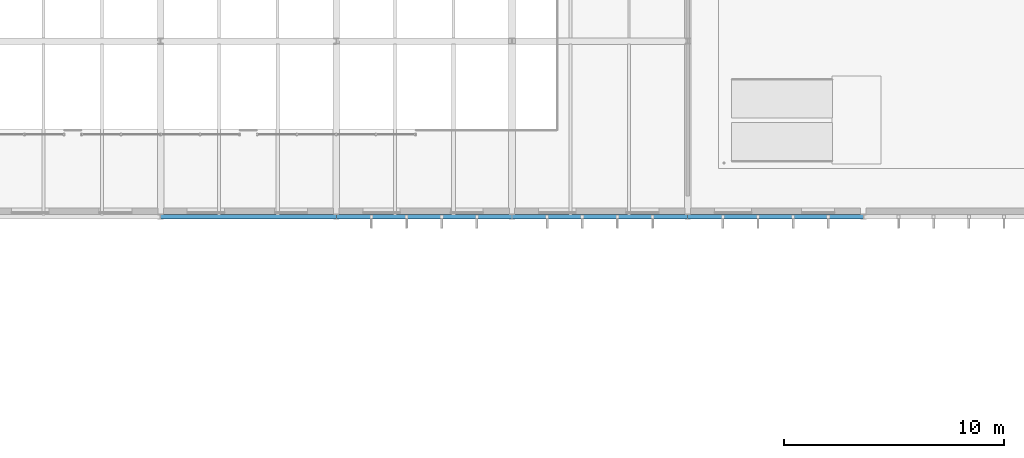
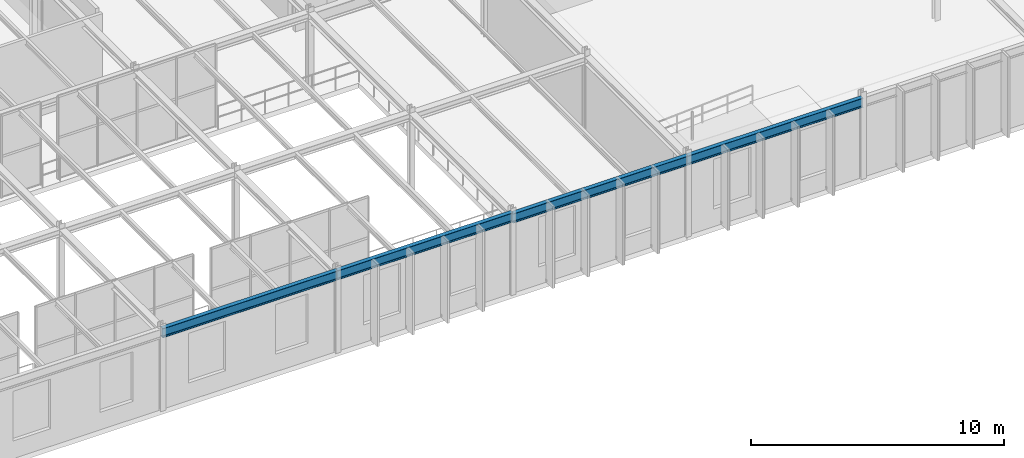
# One storey, part 58 of 124: 4 beams.
"""IFC4 building model written with IfcOpenShell, lengths in metres."""

import ifcopenshell
import ifcopenshell.guid

model = None  # the IFC model being written
_history = None  # IfcOwnerHistory: only IFC2X3 demands one
_inside = {}  # id of a spatial element -> (the spatial element, [elements in it])
_under = {}  # id of a project, library or spatial element -> (it, [spatial elements below it])
_declared = {}  # id of a project -> (the project, [libraries it declares])
_typed = {}  # id of a type object -> (the type object, [elements of that type])
_made_of = {}  # id of a material, layer set ... -> (it, [elements and type objects made of it])


def new_model(schema):
    """Start an empty IFC model of exactly this schema.

    Asked for "IFC4X3", IfcOpenShell would pick the latest addendum, in which some entities
    have other attributes; the version numbers below select the first issue.
    IFC2X3 requires an IfcOwnerHistory on every rooted entity: one is made here for all.
    """
    global model, _history
    if schema == "IFC4X3":
        model = ifcopenshell.file(schema_version=(4, 3, 0, 0))
    else:
        model = ifcopenshell.file(schema=schema)
    _inside.clear()
    _under.clear()
    _declared.clear()
    _typed.clear()
    _made_of.clear()
    _history = None
    if model.schema == "IFC2X3":
        org = make("IfcOrganization", Name="unknown")
        user = make(
            "IfcPersonAndOrganization",
            ThePerson=make("IfcPerson", FamilyName="unknown"),
            TheOrganization=org,
        )
        app = make(
            "IfcApplication",
            ApplicationDeveloper=org,
            Version="unknown",
            ApplicationFullName="unknown",
            ApplicationIdentifier="unknown",
        )
        _history = make(
            "IfcOwnerHistory",
            OwningUser=user,
            OwningApplication=app,
            ChangeAction="ADDED",
            CreationDate=0,
        )
    return model


def make(cls, **values):
    """One entity of the class cls with the attributes given. An attribute that is None is left unset."""
    return model.create_entity(
        cls, **{name: value for name, value in values.items() if value is not None}
    )


def rooted(cls, **values):
    """An entity with a GlobalId (a new one), such as an element, a storey or a relation."""
    return make(cls, GlobalId=ifcopenshell.guid.new(), OwnerHistory=_history, **values)


def si_unit(unit_type, name, prefix=None):
    """IfcSIUnit, for example si_unit("LENGTHUNIT", "METRE", prefix="MILLI")."""
    return make("IfcSIUnit", UnitType=unit_type, Prefix=prefix, Name=name)


def assignment(units):
    """IfcUnitAssignment: the units of a project."""
    return None if units is None else make("IfcUnitAssignment", Units=units)


def point(xyz):
    """IfcCartesianPoint."""
    return None if xyz is None else make("IfcCartesianPoint", Coordinates=xyz)


def direction(xyz):
    """IfcDirection."""
    return None if xyz is None else make("IfcDirection", DirectionRatios=xyz)


def frame(location, z_axis=None, x_axis=None):
    """IfcAxis2Placement3D, a coordinate frame: its origin and axes. An axis left out is left unset."""
    return make(
        "IfcAxis2Placement3D",
        Location=point(location),
        Axis=direction(z_axis),
        RefDirection=direction(x_axis),
    )


def frame_2d(location, x_axis=None):
    """IfcAxis2Placement2D, a coordinate frame in the plane: its origin and x axis."""
    return make(
        "IfcAxis2Placement2D", Location=point(location), RefDirection=direction(x_axis)
    )


def origin():
    """The frame at (0, 0, 0) with its axes left unset."""
    return frame((0.0, 0.0, 0.0))


def origin_2d():
    """The frame at (0, 0) in the plane with its x axis left unset."""
    return frame_2d((0.0, 0.0))


def place(relative_to, where):
    """IfcLocalPlacement: puts the frame where relative to a parent placement (None: the world)."""
    return make(
        "IfcLocalPlacement", PlacementRelTo=relative_to, RelativePlacement=where
    )


def context(
    kind, dimensions, precision=None, world=None, true_north=None, identifier=None
):
    """IfcGeometricRepresentationContext, for example the 3D "Model" context."""
    return make(
        "IfcGeometricRepresentationContext",
        ContextIdentifier=identifier,
        ContextType=kind,
        CoordinateSpaceDimension=dimensions,
        Precision=precision,
        WorldCoordinateSystem=world,
        TrueNorth=true_north,
    )


def subcontext(parent, identifier, kind, view, scale=None):
    """IfcGeometricRepresentationSubContext, for example "Body" below "Model"."""
    return make(
        "IfcGeometricRepresentationSubContext",
        ContextIdentifier=identifier,
        ContextType=kind,
        ParentContext=parent,
        TargetScale=scale,
        TargetView=view,
    )


def project(units=None, contexts=None):
    """IfcProject with its units and contexts."""
    return rooted(
        "IfcProject",
        Name="project",
        RepresentationContexts=contexts,
        UnitsInContext=assignment(units),
    )


def spatial(cls, under=None, at=None, **own):
    """A site, building, storey or space (cls), placed at a placement, below another one or the project."""
    s = rooted(cls, ObjectPlacement=at, **own)
    if under is not None:
        _under.setdefault(under.id(), (under, []))[1].append(s)
    return s


def profile(cls, at=None, kind="AREA", **sizes):
    """A parametric profile (cls). Its sizes go by their IFC names, for example OverallWidth=200.0."""
    return make(cls, ProfileType=kind, Position=at, **sizes)


def i_section(**sizes):
    """IfcIShapeProfileDef."""
    return profile("IfcIShapeProfileDef", **sizes)


def extrude(swept, where, along, depth):
    """IfcExtrudedAreaSolid: the profile swept, set in the frame where, extruded along a direction by depth."""
    return make(
        "IfcExtrudedAreaSolid",
        SweptArea=swept,
        Position=where,
        ExtrudedDirection=direction(along),
        Depth=depth,
    )


def shape(context_of_items, identifier, shape_type, items):
    """IfcShapeRepresentation: the items that make up one representation, for example the "Body"."""
    return make(
        "IfcShapeRepresentation",
        ContextOfItems=context_of_items,
        RepresentationIdentifier=identifier,
        RepresentationType=shape_type,
        Items=items,
    )


def material(Name=None, Category=None):
    """IfcMaterial."""
    return make("IfcMaterial", Name=Name, Category=Category)


def material_profile(
    of_material, cross_section, Name=None, Category=None, Priority=None
):
    """IfcMaterialProfile: a cross section and its material."""
    return make(
        "IfcMaterialProfile",
        Name=Name,
        Material=of_material,
        Profile=cross_section,
        Priority=Priority,
        Category=Category,
    )


def profile_set(profiles, Name=None, composite=None):
    """IfcMaterialProfileSet."""
    return make(
        "IfcMaterialProfileSet",
        Name=Name,
        MaterialProfiles=profiles,
        CompositeProfile=composite,
    )


def made_of(thing, what):
    """Note that an element or type object is made of a material, layer set ...; save() writes the relation."""
    if what is not None:
        _made_of.setdefault(what.id(), (what, []))[1].append(thing)
    return thing


def type_object(cls, material=None, **own):
    """A type object (cls), such as IfcWallType, which elements share."""
    return made_of(rooted(cls, **own), material)


def element(
    cls,
    number,
    at=None,
    inside=None,
    cuts=None,
    type_object=None,
    material=None,
    context=None,
    identifier="Body",
    shape_type=None,
    held_by="IfcProductDefinitionShape",
    body=None,
    shapes=None,
    **own,
):
    """One element of the class cls, such as IfcWall. Its Tag is "e" and its number.

    at: its placement. inside: the storey or other place that contains it. cuts: it is an
    opening in that element (IfcRelVoidsElement). A single representation is given by context,
    identifier, shape_type and body (its items); several are given by shapes. held_by: the class
    of the entity that holds the representations. save() writes the other relations.
    """
    e = rooted(cls, Tag="e%d" % number, ObjectPlacement=at, **own)
    if body is not None:
        shapes = [shape(context, identifier, shape_type, body)]
    if shapes is not None:
        e.Representation = make(held_by, Representations=shapes)
    if inside is not None:
        _inside.setdefault(inside.id(), (inside, []))[1].append(e)
    if cuts is not None:
        rooted(
            "IfcRelVoidsElement", RelatingBuildingElement=cuts, RelatedOpeningElement=e
        )
    if type_object is not None:
        _typed.setdefault(type_object.id(), (type_object, []))[1].append(e)
    return made_of(e, material)


def aggregate(whole, parts):
    """IfcRelAggregates: a whole, such as a stair, and the parts it consists of."""
    return rooted("IfcRelAggregates", RelatingObject=whole, RelatedObjects=parts)


def save(model, path):
    """Write the relations noted so far, then the file.

    IfcRelAggregates (storeys below a building ...), IfcRelContainedInSpatialStructure (elements
    in a storey), IfcRelDefinesByType, IfcRelAssociatesMaterial and IfcRelDeclares: one each for
    every whole, place, type object, material and project.
    """
    for whole, parts in _under.values():
        aggregate(whole, parts)
    for where, things in _inside.values():
        rooted(
            "IfcRelContainedInSpatialStructure",
            RelatedElements=things,
            RelatingStructure=where,
        )
    for kind, things in _typed.values():
        rooted("IfcRelDefinesByType", RelatedObjects=things, RelatingType=kind)
    for what, things in _made_of.values():
        rooted("IfcRelAssociatesMaterial", RelatedObjects=things, RelatingMaterial=what)
    for by, libraries in _declared.values():
        rooted("IfcRelDeclares", RelatingContext=by, RelatedDefinitions=libraries)
    model.write(path)


model = new_model("IFC4")

# Units and contexts
model_context = context("Model", 3, precision=1e-05, world=origin(), true_north=direction((0.0, 1.0)))
body_context = subcontext(model_context, "Body", "Model", "MODEL_VIEW")
ifc_project = project(units=[si_unit("LENGTHUNIT", "METRE"), si_unit("AREAUNIT", "SQUARE_METRE"), si_unit("VOLUMEUNIT", "CUBIC_METRE"), si_unit("PLANEANGLEUNIT", "RADIAN"), si_unit("MASSUNIT", "GRAM", prefix="KILO")], contexts=[model_context])

# Site, building, storey
site_placement = place(None, origin())
site = spatial("IfcSite", under=ifc_project, at=site_placement, CompositionType="ELEMENT")
building_placement = place(site_placement, origin())
building = spatial("IfcBuilding", under=site, at=building_placement, Name="Sundkrona Museum", CompositionType="ELEMENT")
storey_placement = place(building_placement, frame((0.0, 0.0, 17.60009765625)))
storey = spatial("IfcBuildingStorey", under=building, at=storey_placement, Name="L03", CompositionType="ELEMENT", Elevation=17.60009765625)

# Beams
ifc_material = material(Name="Steel S355J2", Category="steel")
ifc_material_profile = material_profile(ifc_material, i_section(OverallWidth=0.18994140625, OverallDepth=0.449951171875, WebThickness=0.009521484375, FlangeThickness=0.0146484375, FilletRadius=0.02099609375, at=origin_2d()), Name="IPE 450")
ifc_profile_set = profile_set([ifc_material_profile], Name="Steel S355J2")
beam_type = type_object("IfcBeamType", Name="SP-IPE450", PredefinedType="SPANDREL", material=ifc_profile_set)
for number, where, z_axis, x_axis, name in (
    (1, (32.0, 78.0, 3.73486328125), (1.0, 0.0, 0.0), (0.0, 1.0, 0.0), "L03 Girder X-1488"),
    (2, (40.0, 78.0, 3.73486328125), (1.0, 0.0, 0.0), (0.0, 1.0, 0.0), "L03 Girder X-1489"),
    (3, (48.0, 78.0, 3.6748046875), (1.0, 0.0, 0.0), (0.0, 1.0, 0.0), "L03 Girder X-1490"),
    (4, (56.0, 78.0, 3.6748046875), (1.0, 0.0, 0.0), (0.0, 1.0, 0.0), "L03 Girder X-1491"),
):
    element("IfcBeam", number, at=place(storey_placement, frame(where, z_axis=z_axis, x_axis=x_axis)), inside=storey, type_object=beam_type, Name=name, PredefinedType="SPANDREL", context=body_context, shape_type="SweptSolid", body=[
        extrude(i_section(OverallWidth=0.18994140625, OverallDepth=0.449951171875, WebThickness=0.009521484375, FlangeThickness=0.0146484375, FilletRadius=0.02099609375, at=origin_2d()), origin(), (0.0, 0.0, 1.0), 8.0),
    ])

save(model, "model.ifc")
